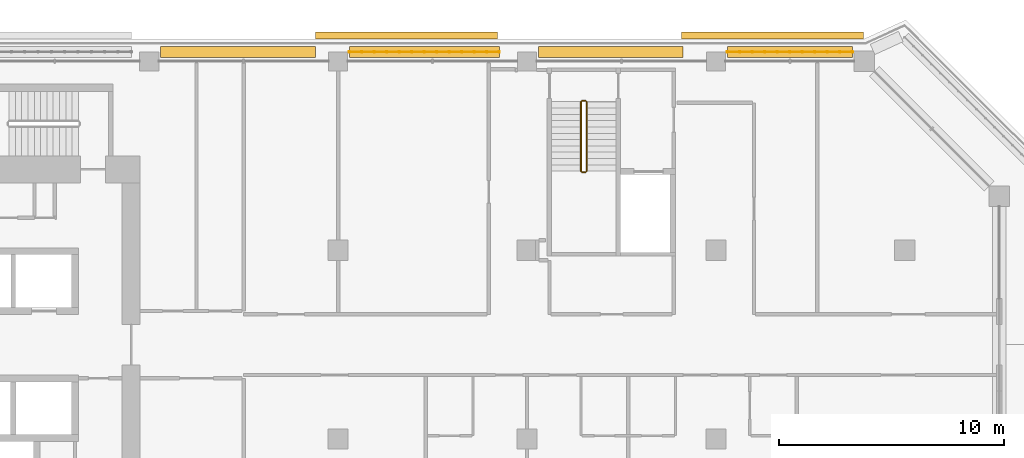
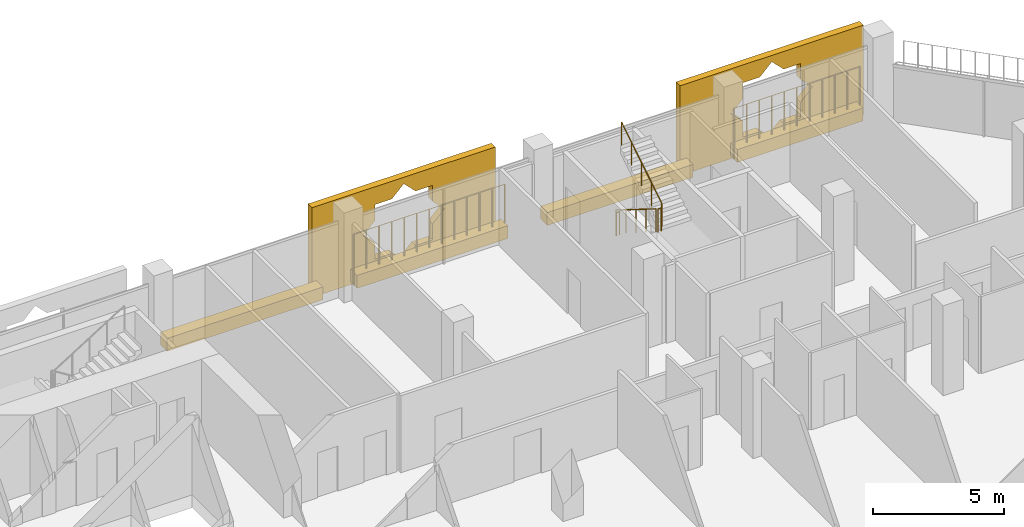
# One storey, part 21 of 22: 6 coverings, 6 railings.
"""IFC4 building model written with IfcOpenShell, lengths in metres."""

from ifc_helpers import new_model, si_unit, direction, frame, origin, origin_2d, place, context, subcontext, project, spatial, polyline, rectangle, circle, outline, extrude, material, material_profile, profile_set, type_object, element, save


model = new_model("IFC4")

# Units and contexts
model_context = context("Model", 3, precision=1e-05, world=origin(), true_north=direction((0.0, 1.0)))
body_context = subcontext(model_context, "Body", "Model", "MODEL_VIEW")
ifc_project = project(units=[si_unit("LENGTHUNIT", "METRE"), si_unit("AREAUNIT", "SQUARE_METRE"), si_unit("VOLUMEUNIT", "CUBIC_METRE"), si_unit("PLANEANGLEUNIT", "RADIAN"), si_unit("MASSUNIT", "GRAM", prefix="KILO")], contexts=[model_context])

# Site, building, storey
site_placement = place(None, origin())
site = spatial("IfcSite", under=ifc_project, at=site_placement, CompositionType="ELEMENT")
building_placement = place(site_placement, origin())
building = spatial("IfcBuilding", under=site, at=building_placement, Name="Kawkab Arch Medical Tower", CompositionType="ELEMENT")
storey_placement = place(building_placement, frame((0.0, 0.0, 255.800048828125)))
storey = spatial("IfcBuildingStorey", under=building, at=storey_placement, Name="L59", CompositionType="ELEMENT", Elevation=255.800048828125)

# Coverings
ifc_material_1 = material(Name="Bronze anodised aluminium mashrabiya panel, eight-point star pattern", Category="aluminium")
ifc_material_profile_1 = material_profile(ifc_material_1, outline(polyline([(-4.050048828125, -2.10009765625), (4.050048828125, -2.10009765625), (4.050048828125, 2.10009765625), (-4.050048828125, 2.10009765625), (-4.050048828125, -2.10009765625)]), holes=[polyline([(1.800048828125, 0.0), (1.272705078125, 0.527099609375), (1.272705078125, 1.272705078125), (0.527099609375, 1.272705078125), (0.0, 1.800048828125), (-0.527099609375, 1.272705078125), (-1.272705078125, 1.272705078125), (-1.272705078125, 0.527099609375), (-1.800048828125, 0.0), (-1.272705078125, -0.527099609375), (-1.272705078125, -1.272705078125), (-0.527099609375, -1.272705078125), (0.0, -1.800048828125), (0.527099609375, -1.272705078125), (1.272705078125, -1.272705078125), (1.272705078125, -0.527099609375), (1.800048828125, 0.0)])]), Name="Mashrabiya panel 8100x4200")
ifc_profile_set_1 = profile_set([ifc_material_profile_1], Name="Bronze anodised aluminium mashrabiya panel, eight-point star pattern")
covering_type_1 = type_object("IfcCoveringType", Name="Mashrabiya panel 8100 x 4200", PredefinedType="USERDEFINED", material=ifc_profile_set_1)
for number, where, z_axis, x_axis, name in (
    (1, (36.6435546875, 1.0, 1.699951171875), (0.0, 1.0, 0.0), (-1.0, 0.0, 0.0), "Mashrabiya panel L59.LOG-01-01.7"),
    (2, (52.910400390625, 1.0, 1.699951171875), (0.0, 1.0, 0.0), (-1.0, 0.0, 0.0), "Mashrabiya panel L59.LOG-01-01.8"),
):
    element("IfcCovering", number, at=place(storey_placement, frame(where, z_axis=z_axis, x_axis=x_axis)), inside=storey, type_object=covering_type_1, Name=name, ObjectType="SCREEN", PredefinedType="USERDEFINED", context=body_context, shape_type="SweptSolid", body=[
        extrude(outline(polyline([(-4.050048828125, -2.10009765625), (4.050048828125, -2.10009765625), (4.050048828125, 2.10009765625), (-4.050048828125, 2.10009765625), (-4.050048828125, -2.10009765625)]), holes=[polyline([(1.800048828125, 0.0), (1.272705078125, 0.527099609375), (1.272705078125, 1.272705078125), (0.527099609375, 1.272705078125), (0.0, 1.800048828125), (-0.527099609375, 1.272705078125), (-1.272705078125, 1.272705078125), (-1.272705078125, 0.527099609375), (-1.800048828125, 0.0), (-1.272705078125, -0.527099609375), (-1.272705078125, -1.272705078125), (-0.527099609375, -1.272705078125), (0.0, -1.800048828125), (0.527099609375, -1.272705078125), (1.272705078125, -1.272705078125), (1.272705078125, -0.527099609375), (1.800048828125, 0.0)])]), origin(), (0.0, 0.0, 1.0), 0.300048828125),
    ])
ifc_material_2 = material(Name="Planting soil in a precast trough", Category="concrete")
ifc_material_profile_2 = material_profile(ifc_material_2, rectangle(XDim=0.5, YDim=0.60009765625, at=origin_2d()), Name="Trough 500x600")
ifc_profile_set_2 = profile_set([ifc_material_profile_2], Name="Planting soil in a precast trough")
covering_type_2 = type_object("IfcCoveringType", Name="Planter trough 500 x 600", PredefinedType="USERDEFINED", material=ifc_profile_set_2)
covering_1_placement = place(storey_placement, frame((25.705078125, 0.419921875, 0.300048828125), z_axis=(1.0, 0.0, 0.0), x_axis=(0.0, 1.0, 0.0)))
element("IfcCovering", 3, at=covering_1_placement, inside=storey, type_object=covering_type_2, Name="Planter L59.LOG-01-01.20", ObjectType="PLANTER", PredefinedType="USERDEFINED", context=body_context, shape_type="SweptSolid", body=[
    extrude(rectangle(XDim=0.5, YDim=0.60009765625, at=origin_2d()), origin(), (0.0, 0.0, 1.0), 6.884033203125),
])
covering_2_placement = place(storey_placement, frame((34.10498046875, 0.419921875, 0.300048828125), z_axis=(1.0, 0.0, 0.0), x_axis=(0.0, 1.0, 0.0)))
element("IfcCovering", 4, at=covering_2_placement, inside=storey, type_object=covering_type_2, Name="Planter L59.LOG-01-01.21", ObjectType="PLANTER", PredefinedType="USERDEFINED", context=body_context, shape_type="SweptSolid", body=[
    extrude(rectangle(XDim=0.5, YDim=0.60009765625, at=origin_2d()), origin(), (0.0, 0.0, 1.0), 6.6630859375),
])
covering_3_placement = place(storey_placement, frame((42.5048828125, 0.419921875, 0.300048828125), z_axis=(1.0, 0.0, 0.0), x_axis=(0.0, 1.0, 0.0)))
element("IfcCovering", 5, at=covering_3_placement, inside=storey, type_object=covering_type_2, Name="Planter L59.LOG-01-01.22", ObjectType="PLANTER", PredefinedType="USERDEFINED", context=body_context, shape_type="SweptSolid", body=[
    extrude(rectangle(XDim=0.5, YDim=0.60009765625, at=origin_2d()), origin(), (0.0, 0.0, 1.0), 6.442138671875),
])
covering_4_placement = place(storey_placement, frame((50.905029296875, 0.419921875, 0.300048828125), z_axis=(1.0, 0.0, 0.0), x_axis=(0.0, 1.0, 0.0)))
element("IfcCovering", 6, at=covering_4_placement, inside=storey, type_object=covering_type_2, Name="Planter L59.LOG-01-01.23", ObjectType="PLANTER", PredefinedType="USERDEFINED", context=body_context, shape_type="SweptSolid", body=[
    extrude(rectangle(XDim=0.5, YDim=0.60009765625, at=origin_2d()), origin(), (0.0, 0.0, 1.0), 5.56494140625),
])

# Railings
ifc_material_3 = material(Name="Bronze anodised aluminium trellis for climbing plants", Category="aluminium")
railing_type_1 = type_object("IfcRailingType", Name="Planting trellis 2400", PredefinedType="USERDEFINED", material=ifc_material_3)
railing_1_placement = place(storey_placement, frame((34.10498046875, 0.419921875, 0.0)))
element("IfcRailing", 7, at=railing_1_placement, inside=storey, type_object=railing_type_1, Name="Planting trellis L59.LOG-01-01.21", ObjectType="TRELLIS", PredefinedType="USERDEFINED", context=body_context, shape_type="SweptSolid", body=[
    extrude(circle(Radius=0.01513671875, at=origin_2d()), frame((0.0, 0.0, 2.384765625), z_axis=(1.0, 0.0, 0.0), x_axis=(0.0, 1.0, 0.0)), (0.0, 0.0, 1.0), 6.6630859375),
    extrude(circle(Radius=0.030029296875, at=origin_2d()), origin(), (0.0, 0.0, 1.0), 2.369873046875),
    extrude(circle(Radius=0.030029296875, at=origin_2d()), frame((0.55517578125, 0.0, 0.0)), (0.0, 0.0, 1.0), 2.369873046875),
    extrude(circle(Radius=0.030029296875, at=origin_2d()), frame((1.110595703125, 0.0, 0.0)), (0.0, 0.0, 1.0), 2.369873046875),
    extrude(circle(Radius=0.030029296875, at=origin_2d()), frame((1.665771484375, 0.0, 0.0)), (0.0, 0.0, 1.0), 2.369873046875),
    extrude(circle(Radius=0.030029296875, at=origin_2d()), frame((2.220947265625, 0.0, 0.0)), (0.0, 0.0, 1.0), 2.369873046875),
    extrude(circle(Radius=0.030029296875, at=origin_2d()), frame((2.7763671875, 0.0, 0.0)), (0.0, 0.0, 1.0), 2.369873046875),
    extrude(circle(Radius=0.030029296875, at=origin_2d()), frame((3.33154296875, 0.0, 0.0)), (0.0, 0.0, 1.0), 2.369873046875),
    extrude(circle(Radius=0.030029296875, at=origin_2d()), frame((3.88671875, 0.0, 0.0)), (0.0, 0.0, 1.0), 2.369873046875),
    extrude(circle(Radius=0.030029296875, at=origin_2d()), frame((4.442138671875, 0.0, 0.0)), (0.0, 0.0, 1.0), 2.369873046875),
    extrude(circle(Radius=0.030029296875, at=origin_2d()), frame((4.997314453125, 0.0, 0.0)), (0.0, 0.0, 1.0), 2.369873046875),
    extrude(circle(Radius=0.030029296875, at=origin_2d()), frame((5.552490234375, 0.0, 0.0)), (0.0, 0.0, 1.0), 2.369873046875),
    extrude(circle(Radius=0.030029296875, at=origin_2d()), frame((6.10791015625, 0.0, 0.0)), (0.0, 0.0, 1.0), 2.369873046875),
    extrude(circle(Radius=0.030029296875, at=origin_2d()), frame((6.6630859375, 0.0, 0.0)), (0.0, 0.0, 1.0), 2.369873046875),
])
railing_2_placement = place(storey_placement, frame((50.905029296875, 0.419921875, 0.0)))
element("IfcRailing", 8, at=railing_2_placement, inside=storey, type_object=railing_type_1, Name="Planting trellis L59.LOG-01-01.23", ObjectType="TRELLIS", PredefinedType="USERDEFINED", context=body_context, shape_type="SweptSolid", body=[
    extrude(circle(Radius=0.01513671875, at=origin_2d()), frame((0.0, 0.0, 2.384765625), z_axis=(1.0, 0.0, 0.0), x_axis=(0.0, 1.0, 0.0)), (0.0, 0.0, 1.0), 5.56494140625),
    extrude(circle(Radius=0.030029296875, at=origin_2d()), origin(), (0.0, 0.0, 1.0), 2.369873046875),
    extrude(circle(Radius=0.030029296875, at=origin_2d()), frame((0.556396484375, 0.0, 0.0)), (0.0, 0.0, 1.0), 2.369873046875),
    extrude(circle(Radius=0.030029296875, at=origin_2d()), frame((1.113037109375, 0.0, 0.0)), (0.0, 0.0, 1.0), 2.369873046875),
    extrude(circle(Radius=0.030029296875, at=origin_2d()), frame((1.66943359375, 0.0, 0.0)), (0.0, 0.0, 1.0), 2.369873046875),
    extrude(circle(Radius=0.030029296875, at=origin_2d()), frame((2.22607421875, 0.0, 0.0)), (0.0, 0.0, 1.0), 2.369873046875),
    extrude(circle(Radius=0.030029296875, at=origin_2d()), frame((2.782470703125, 0.0, 0.0)), (0.0, 0.0, 1.0), 2.369873046875),
    extrude(circle(Radius=0.030029296875, at=origin_2d()), frame((3.3388671875, 0.0, 0.0)), (0.0, 0.0, 1.0), 2.369873046875),
    extrude(circle(Radius=0.030029296875, at=origin_2d()), frame((3.8955078125, 0.0, 0.0)), (0.0, 0.0, 1.0), 2.369873046875),
    extrude(circle(Radius=0.030029296875, at=origin_2d()), frame((4.451904296875, 0.0, 0.0)), (0.0, 0.0, 1.0), 2.369873046875),
    extrude(circle(Radius=0.030029296875, at=origin_2d()), frame((5.008544921875, 0.0, 0.0)), (0.0, 0.0, 1.0), 2.369873046875),
    extrude(circle(Radius=0.030029296875, at=origin_2d()), frame((5.56494140625, 0.0, 0.0)), (0.0, 0.0, 1.0), 2.369873046875),
])
ifc_material_4 = material(Name="Stainless steel", Category="steel")
railing_type_2 = type_object("IfcRailingType", Name="Stair guard 1100", PredefinedType="GUARDRAIL", material=ifc_material_4)
railing_3_placement = place(storey_placement, frame((44.39990234375, -1.800048828125, 0.175048828125)))
element("IfcRailing", 9, at=railing_3_placement, inside=storey, type_object=railing_type_2, Name="L59 ST5 stair guard 1", PredefinedType="GUARDRAIL", context=body_context, shape_type="SweptSolid", body=[
    extrude(circle(Radius=0.02392578125, at=origin_2d()), frame((0.0, 0.0, 1.076171875), z_axis=(0.0, -0.848009633417, 0.529980812513), x_axis=(1.0, 0.0, 0.0)), (0.0, 0.0, 1.0), 3.6318359375),
    extrude(circle(Radius=0.02099609375, at=origin_2d()), origin(), (0.0, 0.0, 1.0), 1.052001953125),
    extrude(circle(Radius=0.02099609375, at=origin_2d()), frame((0.0, -0.77001953125, 0.481201171875)), (0.0, 0.0, 1.0), 1.052001953125),
    extrude(circle(Radius=0.02099609375, at=origin_2d()), frame((0.0, -1.5400390625, 0.96240234375)), (0.0, 0.0, 1.0), 1.052001953125),
    extrude(circle(Radius=0.02099609375, at=origin_2d()), frame((0.0, -2.309814453125, 1.443603515625)), (0.0, 0.0, 1.0), 1.052001953125),
    extrude(circle(Radius=0.02099609375, at=origin_2d()), frame((0.0, -3.079833984375, 1.9248046875)), (0.0, 0.0, 1.0), 1.052001953125),
])
railing_4_placement = place(storey_placement, frame((44.449951171875, -4.929931640625, 2.099853515625)))
element("IfcRailing", 10, at=railing_4_placement, inside=storey, type_object=railing_type_2, Name="L59 ST5 stair guard 2", PredefinedType="GUARDRAIL", context=body_context, shape_type="SweptSolid", body=[
    extrude(circle(Radius=0.02392578125, at=origin_2d()), frame((0.0, 0.0, 1.076171875), z_axis=(1.0, 0.0, 0.0), x_axis=(0.0, 1.0, 0.0)), (0.0, 0.0, 1.0), 0.150146484375),
    extrude(circle(Radius=0.02099609375, at=origin_2d()), origin(), (0.0, 0.0, 1.0), 1.052001953125),
    extrude(circle(Radius=0.02099609375, at=origin_2d()), frame((0.150146484375, 0.0, 0.0)), (0.0, 0.0, 1.0), 1.052001953125),
])
railing_5_placement = place(storey_placement, frame((44.64990234375, -4.8798828125, 2.27490234375)))
element("IfcRailing", 11, at=railing_5_placement, inside=storey, type_object=railing_type_2, Name="L59 ST5 stair guard 3", PredefinedType="GUARDRAIL", context=body_context, shape_type="SweptSolid", body=[
    extrude(circle(Radius=0.02392578125, at=origin_2d()), frame((0.0, 0.0, 1.076171875), z_axis=(0.0, 0.847979421464, 0.530029150871), x_axis=(-1.0, 0.0, 0.0)), (0.0, 0.0, 1.0), 3.632080078125),
    extrude(circle(Radius=0.02099609375, at=origin_2d()), origin(), (0.0, 0.0, 1.0), 1.052001953125),
    extrude(circle(Radius=0.02099609375, at=origin_2d()), frame((0.0, 0.77001953125, 0.481201171875)), (0.0, 0.0, 1.0), 1.052001953125),
    extrude(circle(Radius=0.02099609375, at=origin_2d()), frame((0.0, 1.5400390625, 0.96240234375)), (0.0, 0.0, 1.0), 1.052001953125),
    extrude(circle(Radius=0.02099609375, at=origin_2d()), frame((0.0, 2.309814453125, 1.44384765625)), (0.0, 0.0, 1.0), 1.052001953125),
    extrude(circle(Radius=0.02099609375, at=origin_2d()), frame((0.0, 3.079833984375, 1.925048828125)), (0.0, 0.0, 1.0), 1.052001953125),
])
railing_6_placement = place(storey_placement, frame((44.449951171875, -1.75, 0.0)))
element("IfcRailing", 12, at=railing_6_placement, inside=storey, type_object=railing_type_2, Name="L59 ST5 stair guard 4", PredefinedType="GUARDRAIL", context=body_context, shape_type="SweptSolid", body=[
    extrude(circle(Radius=0.02392578125, at=origin_2d()), frame((0.0, 0.0, 1.076171875), z_axis=(1.0, 0.0, 0.0), x_axis=(0.0, 1.0, 0.0)), (0.0, 0.0, 1.0), 0.150146484375),
    extrude(circle(Radius=0.02099609375, at=origin_2d()), origin(), (0.0, 0.0, 1.0), 1.052001953125),
    extrude(circle(Radius=0.02099609375, at=origin_2d()), frame((0.150146484375, 0.0, 0.0)), (0.0, 0.0, 1.0), 1.052001953125),
])

save(model, "model.ifc")
